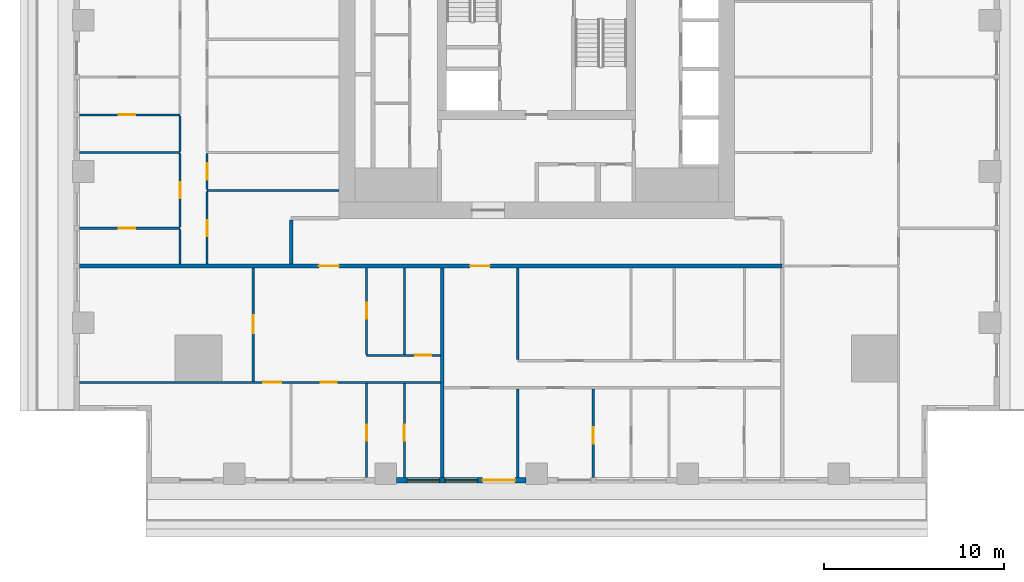
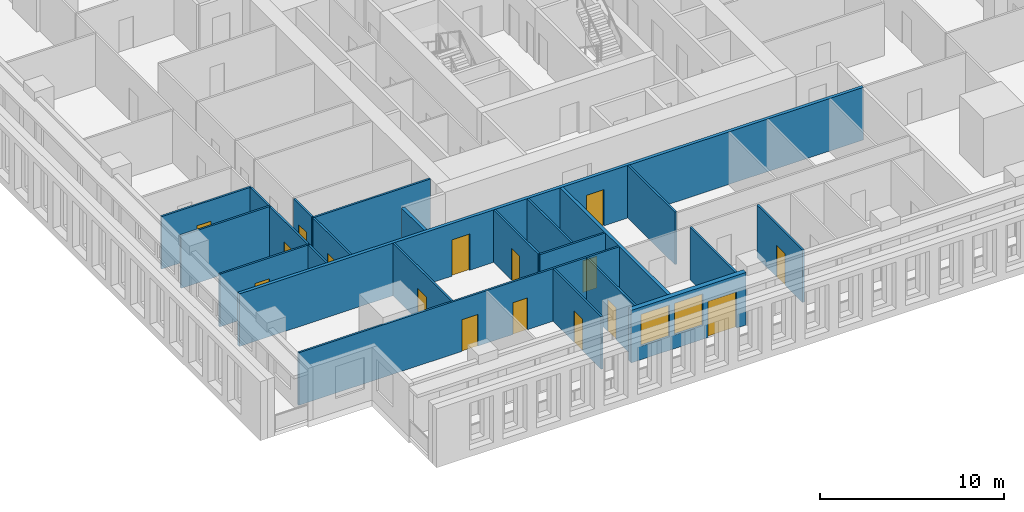
# One storey, part 2 of 15: 23 walls, 16 doors, 2 windows, 18 openings.
"""IFC4 building model written with IfcOpenShell, lengths in metres."""

from ifc_helpers import new_model, si_unit, direction, frame, frame_2d, origin, place, context, subcontext, project, spatial, rectangle, extrude, material, layer, layer_set, type_object, element, fill, save


model = new_model("IFC4")

# Units and contexts
model_context = context("Model", 3, precision=1e-05, world=origin(), true_north=direction((0.0, 1.0)))
body_context = subcontext(model_context, "Body", "Model", "MODEL_VIEW")
ifc_project = project(units=[si_unit("LENGTHUNIT", "METRE"), si_unit("AREAUNIT", "SQUARE_METRE"), si_unit("VOLUMEUNIT", "CUBIC_METRE"), si_unit("PLANEANGLEUNIT", "RADIAN"), si_unit("MASSUNIT", "GRAM", prefix="KILO")], contexts=[model_context])

# Site, building, storey
site_placement = place(None, origin())
site = spatial("IfcSite", under=ifc_project, at=site_placement, CompositionType="ELEMENT")
building_placement = place(site_placement, origin())
building = spatial("IfcBuilding", under=site, at=building_placement, Name="Khepri Terraces", CompositionType="ELEMENT")
storey_placement = place(building_placement, frame((0.0, 0.0, 161.10009765625)))
storey = spatial("IfcBuildingStorey", under=building, at=storey_placement, Name="L38", CompositionType="ELEMENT", Elevation=161.10009765625)

# Wall
ifc_material_1 = material(Name="Fire-rated gypsum plasterboard partition, mineral wool")
ifc_layer_1 = layer(ifc_material_1, 0.199951171875, Name="Fire-rated gypsum plasterboard partition, mineral wool")
ifc_layer_set_1 = layer_set([ifc_layer_1], Name="Fire-rated gypsum plasterboard partition, mineral wool")
wall_type_1 = type_object("IfcWallType", Name="WL-CORR-200", PredefinedType="PARTITIONING", material=ifc_layer_set_1)
wall_1_placement = place(storey_placement, frame((-5.25, -25.419921875, 0.0), z_axis=(0.0, 0.0, 1.0), x_axis=(0.0, 1.0, 0.0)))
element("IfcWall", 1, at=wall_1_placement, inside=storey, type_object=wall_type_1, Name="Partition P-004 L38", PredefinedType="PARTITIONING", context=body_context, shape_type="SweptSolid", body=[
    extrude(rectangle(XDim=11.669921875, YDim=0.199951171875, at=frame_2d((5.8349609375, 0.0))), origin(), (0.0, 0.0, 1.0), 3.47998046875),
])

# Wall, openings, doors
wall_2_placement = place(storey_placement, frame((-25.419921875, -13.64990234375, 0.0), z_axis=(0.0, 0.0, 1.0), x_axis=(1.0, 0.0, 0.0)))
wall_2 = element("IfcWall", 2, at=wall_2_placement, inside=storey, type_object=wall_type_1, Name="Partition P-023 L38", PredefinedType="PARTITIONING", context=body_context, shape_type="SweptSolid", body=[
    extrude(rectangle(XDim=39.06982421875, YDim=0.199951171875, at=frame_2d((19.534912109375, 0.0))), origin(), (0.0, 0.0, 1.0), 3.47998046875),
])
opening_1_placement = place(wall_2_placement, frame((13.320068359375, 0.0, 0.0)))
opening_1 = element("IfcOpeningElement", 3, at=opening_1_placement, cuts=wall_2, Name="Opening D1", PredefinedType="OPENING", context=body_context, shape_type="SweptSolid", body=[
    extrude(rectangle(XDim=1.10009765625, YDim=2.39990234375, at=frame_2d((0.550048828125, 1.199951171875))), frame((0.0, 0.10986328125, 0.0), z_axis=(0.0, -1.0, 0.0), x_axis=(1.0, 0.0, 0.0)), (0.0, 0.0, 1.0), 0.219970703125),
])
opening_2_placement = place(wall_2_placement, frame((21.719970703125, 0.0, 0.0)))
opening_2 = element("IfcOpeningElement", 4, at=opening_2_placement, cuts=wall_2, Name="Opening D1", PredefinedType="OPENING", context=body_context, shape_type="SweptSolid", body=[
    extrude(rectangle(XDim=1.10009765625, YDim=2.39990234375, at=frame_2d((0.550048828125, 1.199951171875))), frame((0.0, 0.10986328125, 0.0), z_axis=(0.0, -1.0, 0.0), x_axis=(1.0, 0.0, 0.0)), (0.0, 0.0, 1.0), 0.219970703125),
])
ifc_material_2 = material(Name="Solid-core timber door leaf, flat entrance door", Category="wood")
door_type_1 = type_object("IfcDoorType", Name="DR-ENT-1100", OperationType="NOTDEFINED", PredefinedType="DOOR", material=ifc_material_2)
door_1_placement = place(opening_1_placement, frame((1.10009765625, 0.0, 0.0), z_axis=(0.0, 0.0, 1.0), x_axis=(-1.0, 0.0, 0.0)))
door_1 = element("IfcDoor", 5, at=door_1_placement, inside=storey, type_object=door_type_1, Name="Flat A1 entrance door", OperationType="SINGLE_SWING_RIGHT", OverallHeight=2.39990234375, OverallWidth=1.10009765625, PredefinedType="DOOR", context=body_context, shape_type="SweptSolid", body=[
    extrude(rectangle(XDim=1.10009765625, YDim=2.39990234375, at=frame_2d((0.550048828125, 1.199951171875))), frame((0.0, 0.02490234375, 0.0), z_axis=(0.0, -1.0, 0.0), x_axis=(1.0, 0.0, 0.0)), (0.0, 0.0, 1.0), 0.050048828125),
])
fill(opening_1, door_1)
door_2_placement = place(opening_2_placement, frame((1.10009765625, 0.0, 0.0), z_axis=(0.0, 0.0, 1.0), x_axis=(-1.0, 0.0, 0.0)))
door_2 = element("IfcDoor", 6, at=door_2_placement, inside=storey, type_object=door_type_1, Name="Flat A2 entrance door", OperationType="SINGLE_SWING_LEFT", OverallHeight=2.39990234375, OverallWidth=1.10009765625, PredefinedType="DOOR", context=body_context, shape_type="SweptSolid", body=[
    extrude(rectangle(XDim=1.10009765625, YDim=2.39990234375, at=frame_2d((0.550048828125, 1.199951171875))), frame((0.0, 0.02490234375, 0.0), z_axis=(0.0, -1.0, 0.0), x_axis=(1.0, 0.0, 0.0)), (0.0, 0.0, 1.0), 0.050048828125),
])
fill(opening_2, door_2)

# Wall
wall_3_placement = place(storey_placement, frame((-13.64990234375, -13.550048828125, 0.0), z_axis=(0.0, 0.0, 1.0), x_axis=(0.0, 1.0, 0.0)))
element("IfcWall", 7, at=wall_3_placement, inside=storey, type_object=wall_type_1, Name="Partition P-028 L38", PredefinedType="PARTITIONING", context=body_context, shape_type="SweptSolid", body=[
    extrude(rectangle(XDim=2.449951171875, YDim=0.199951171875, at=frame_2d((1.22509765625, 0.0))), origin(), (0.0, 0.0, 1.0), 3.47998046875),
])

# Wall, openings, door, windows
ifc_material_3 = material(Name="Precast concrete C50/60 warm stone", Category="masonry")
ifc_layer_2 = layer(ifc_material_3, 0.300048828125, Name="Precast concrete C50/60 warm stone", Category="masonry")
ifc_layer_set_2 = layer_set([ifc_layer_2], Name="Precast concrete C50/60 warm stone")
wall_type_2 = type_object("IfcWallType", Name="WL-EXT-PRECAST-300", PredefinedType="STANDARD", material=ifc_layer_set_2)
wall_4_placement = place(storey_placement, frame((-7.800048828125, -25.570068359375, 0.0), z_axis=(0.0, 0.0, 1.0), x_axis=(1.0, 0.0, 0.0)))
wall_4 = element("IfcWall", 8, at=wall_4_placement, inside=storey, type_object=wall_type_2, Name="External wall L38 S", PredefinedType="STANDARD", context=body_context, shape_type="SweptSolid", body=[
    extrude(rectangle(XDim=7.199951171875, YDim=0.300048828125, at=frame_2d((3.60009765625, 0.0))), origin(), (0.0, 0.0, 1.0), 3.47998046875),
])
opening_3_placement = place(wall_4_placement, frame((0.60009765625, 0.0, 0.89990234375)))
opening_3 = element("IfcOpeningElement", 9, at=opening_3_placement, cuts=wall_4, Name="Opening W1", PredefinedType="OPENING", context=body_context, shape_type="SweptSolid", body=[
    extrude(rectangle(XDim=1.800048828125, YDim=2.10009765625, at=frame_2d((0.89990234375, 1.050048828125))), frame((0.0, 0.16015625, 0.0), z_axis=(0.0, -1.0, 0.0), x_axis=(1.0, 0.0, 0.0)), (0.0, 0.0, 1.0), 0.320068359375),
])
opening_4_placement = place(wall_4_placement, frame((2.699951171875, 0.0, 0.89990234375)))
opening_4 = element("IfcOpeningElement", 10, at=opening_4_placement, cuts=wall_4, Name="Opening W1", PredefinedType="OPENING", context=body_context, shape_type="SweptSolid", body=[
    extrude(rectangle(XDim=1.800048828125, YDim=2.10009765625, at=frame_2d((0.89990234375, 1.050048828125))), frame((0.0, 0.16015625, 0.0), z_axis=(0.0, -1.0, 0.0), x_axis=(1.0, 0.0, 0.0)), (0.0, 0.0, 1.0), 0.320068359375),
])
opening_5_placement = place(wall_4_placement, frame((4.800048828125, 0.0, 0.0)))
opening_5 = element("IfcOpeningElement", 11, at=opening_5_placement, cuts=wall_4, Name="Opening ED-L38-21", PredefinedType="OPENING", context=body_context, shape_type="SweptSolid", body=[
    extrude(rectangle(XDim=1.800048828125, YDim=2.39990234375, at=frame_2d((0.89990234375, 1.199951171875))), frame((0.0, 0.16015625, 0.0), z_axis=(0.0, -1.0, 0.0), x_axis=(1.0, 0.0, 0.0)), (0.0, 0.0, 1.0), 0.320068359375),
])
ifc_material_4 = material(Name="Anodised aluminium bronze glazed door", Category="aluminium")
door_type_2 = type_object("IfcDoorType", Name="DR-BAL-SLIDE-1800x2400", OperationType="NOTDEFINED", PredefinedType="DOOR", material=ifc_material_4)
door_3_placement = place(opening_5_placement, origin())
door_3 = element("IfcDoor", 12, at=door_3_placement, inside=storey, type_object=door_type_2, Name="Balcony door L38 S", OperationType="SLIDING_TO_RIGHT", OverallHeight=2.39990234375, OverallWidth=1.800048828125, PredefinedType="DOOR", context=body_context, shape_type="SweptSolid", body=[
    extrude(rectangle(XDim=1.800048828125, YDim=2.39990234375, at=frame_2d((0.89990234375, 1.199951171875))), frame((0.0, 0.02490234375, 0.0), z_axis=(0.0, -1.0, 0.0), x_axis=(1.0, 0.0, 0.0)), (0.0, 0.0, 1.0), 0.050048828125),
])
fill(opening_5, door_3)
ifc_material_5 = material(Name="Clear glass", Category="glass")
window_type = type_object("IfcWindowType", Name="WIN-RES-1800x2100", PartitioningType="SINGLE_PANEL", PredefinedType="WINDOW", material=ifc_material_5)
window_1_placement = place(opening_3_placement, origin())
window_1 = element("IfcWindow", 13, at=window_1_placement, inside=storey, type_object=window_type, Name="Window L38 S", OverallHeight=2.10009765625, OverallWidth=1.800048828125, PartitioningType="SINGLE_PANEL", PredefinedType="WINDOW", context=body_context, shape_type="SweptSolid", body=[
    extrude(rectangle(XDim=1.800048828125, YDim=2.10009765625, at=frame_2d((0.89990234375, 1.050048828125))), frame((0.0, 0.030029296875, 0.0), z_axis=(0.0, -1.0, 0.0), x_axis=(1.0, 0.0, 0.0)), (0.0, 0.0, 1.0), 0.06005859375),
])
fill(opening_3, window_1)
window_2_placement = place(opening_4_placement, origin())
window_2 = element("IfcWindow", 14, at=window_2_placement, inside=storey, type_object=window_type, Name="Window L38 S", OverallHeight=2.10009765625, OverallWidth=1.800048828125, PartitioningType="SINGLE_PANEL", PredefinedType="WINDOW", context=body_context, shape_type="SweptSolid", body=[
    extrude(rectangle(XDim=1.800048828125, YDim=2.10009765625, at=frame_2d((0.89990234375, 1.050048828125))), frame((0.0, 0.030029296875, 0.0), z_axis=(0.0, -1.0, 0.0), x_axis=(1.0, 0.0, 0.0)), (0.0, 0.0, 1.0), 0.06005859375),
])
fill(opening_4, window_2)

# Wall, opening, door
ifc_material_6 = material(Name="Gypsum plasterboard partition")
ifc_layer_3 = layer(ifc_material_6, 0.1201171875, Name="Gypsum plasterboard partition")
ifc_layer_set_3 = layer_set([ifc_layer_3], Name="Gypsum plasterboard partition")
wall_type_3 = type_object("IfcWallType", Name="WL-PART-120", PredefinedType="PARTITIONING", material=ifc_layer_set_3)
wall_5_placement = place(storey_placement, frame((-9.449951171875, -25.419921875, 0.0), z_axis=(0.0, 0.0, 1.0), x_axis=(0.0, 1.0, 0.0)))
wall_5 = element("IfcWall", 15, at=wall_5_placement, inside=storey, type_object=wall_type_3, Name="Partition P-002 L38", PredefinedType="PARTITIONING", context=body_context, shape_type="SweptSolid", body=[
    extrude(rectangle(XDim=5.239990234375, YDim=0.1201171875, at=frame_2d((2.6201171875, 0.0))), origin(), (0.0, 0.0, 1.0), 3.47998046875),
])
opening_6_placement = place(wall_5_placement, frame((2.050048828125, 0.0, 0.0)))
opening_6 = element("IfcOpeningElement", 16, at=opening_6_placement, cuts=wall_5, Name="Opening D3", PredefinedType="OPENING", context=body_context, shape_type="SweptSolid", body=[
    extrude(rectangle(XDim=0.89990234375, YDim=2.10009765625, at=frame_2d((0.449951171875, 1.050048828125))), frame((0.0, 0.070068359375, 0.0), z_axis=(0.0, -1.0, 0.0), x_axis=(1.0, 0.0, 0.0)), (0.0, 0.0, 1.0), 0.14013671875),
])
ifc_material_7 = material(Name="Timber door leaf", Category="wood")
door_type_3 = type_object("IfcDoorType", Name="DR-INT-900", OperationType="NOTDEFINED", PredefinedType="DOOR", material=ifc_material_7)
door_4_placement = place(opening_6_placement, frame((0.89990234375, 0.0, 0.0), z_axis=(0.0, 0.0, 1.0), x_axis=(-1.0, 0.0, 0.0)))
door_4 = element("IfcDoor", 17, at=door_4_placement, inside=storey, type_object=door_type_3, Name="Door Dressing Room", OperationType="SINGLE_SWING_RIGHT", OverallHeight=2.10009765625, OverallWidth=0.89990234375, PredefinedType="DOOR", context=body_context, shape_type="SweptSolid", body=[
    extrude(rectangle(XDim=0.89990234375, YDim=2.10009765625, at=frame_2d((0.449951171875, 1.050048828125))), frame((0.0, 0.02490234375, 0.0), z_axis=(0.0, -1.0, 0.0), x_axis=(1.0, 0.0, 0.0)), (0.0, 0.0, 1.0), 0.050048828125),
])
fill(opening_6, door_4)

wall_6_placement = place(storey_placement, frame((-7.35009765625, -25.419921875, 0.0), z_axis=(0.0, 0.0, 1.0), x_axis=(0.0, 1.0, 0.0)))
wall_6 = element("IfcWall", 18, at=wall_6_placement, inside=storey, type_object=wall_type_3, Name="Partition P-003 L38", PredefinedType="PARTITIONING", context=body_context, shape_type="SweptSolid", body=[
    extrude(rectangle(XDim=5.239990234375, YDim=0.1201171875, at=frame_2d((2.6201171875, 0.0))), origin(), (0.0, 0.0, 1.0), 3.47998046875),
])
opening_7_placement = place(wall_6_placement, frame((2.050048828125, 0.0, 0.0)))
opening_7 = element("IfcOpeningElement", 19, at=opening_7_placement, cuts=wall_6, Name="Opening D4", PredefinedType="OPENING", context=body_context, shape_type="SweptSolid", body=[
    extrude(rectangle(XDim=0.89990234375, YDim=2.10009765625, at=frame_2d((0.449951171875, 1.050048828125))), frame((0.0, 0.070068359375, 0.0), z_axis=(0.0, -1.0, 0.0), x_axis=(1.0, 0.0, 0.0)), (0.0, 0.0, 1.0), 0.14013671875),
])
ifc_material_8 = material(Name="Timber door leaf, moisture resistant", Category="wood")
door_type_4 = type_object("IfcDoorType", Name="DR-WET-900", OperationType="NOTDEFINED", PredefinedType="DOOR", material=ifc_material_8)
door_5_placement = place(opening_7_placement, frame((0.89990234375, 0.0, 0.0), z_axis=(0.0, 0.0, 1.0), x_axis=(-1.0, 0.0, 0.0)))
door_5 = element("IfcDoor", 20, at=door_5_placement, inside=storey, type_object=door_type_4, Name="Door Bathroom", OperationType="SINGLE_SWING_RIGHT", OverallHeight=2.10009765625, OverallWidth=0.89990234375, PredefinedType="DOOR", context=body_context, shape_type="SweptSolid", body=[
    extrude(rectangle(XDim=0.89990234375, YDim=2.10009765625, at=frame_2d((0.449951171875, 1.050048828125))), frame((0.0, 0.02490234375, 0.0), z_axis=(0.0, -1.0, 0.0), x_axis=(1.0, 0.0, 0.0)), (0.0, 0.0, 1.0), 0.050048828125),
])
fill(opening_7, door_5)

# Wall
wall_7_placement = place(storey_placement, frame((-1.050048828125, -25.419921875, 0.0), z_axis=(0.0, 0.0, 1.0), x_axis=(0.0, 1.0, 0.0)))
element("IfcWall", 21, at=wall_7_placement, inside=storey, type_object=wall_type_3, Name="Partition P-005 L38", PredefinedType="PARTITIONING", context=body_context, shape_type="SweptSolid", body=[
    extrude(rectangle(XDim=4.93994140625, YDim=0.1201171875, at=frame_2d((2.469970703125, 0.0))), origin(), (0.0, 0.0, 1.0), 3.47998046875),
])

# Wall, opening, door
wall_8_placement = place(storey_placement, frame((3.14990234375, -25.419921875, 0.0), z_axis=(0.0, 0.0, 1.0), x_axis=(0.0, 1.0, 0.0)))
wall_8 = element("IfcWall", 22, at=wall_8_placement, inside=storey, type_object=wall_type_3, Name="Partition P-006 L38", PredefinedType="PARTITIONING", context=body_context, shape_type="SweptSolid", body=[
    extrude(rectangle(XDim=4.93994140625, YDim=0.1201171875, at=frame_2d((2.469970703125, 0.0))), origin(), (0.0, 0.0, 1.0), 3.47998046875),
])
opening_8_placement = place(wall_8_placement, frame((1.89990234375, 0.0, 0.0)))
opening_8 = element("IfcOpeningElement", 23, at=opening_8_placement, cuts=wall_8, Name="Opening D3", PredefinedType="OPENING", context=body_context, shape_type="SweptSolid", body=[
    extrude(rectangle(XDim=0.89990234375, YDim=2.10009765625, at=frame_2d((0.449951171875, 1.050048828125))), frame((0.0, 0.070068359375, 0.0), z_axis=(0.0, -1.0, 0.0), x_axis=(1.0, 0.0, 0.0)), (0.0, 0.0, 1.0), 0.14013671875),
])
door_6_placement = place(opening_8_placement, frame((0.89990234375, 0.0, 0.0), z_axis=(0.0, 0.0, 1.0), x_axis=(-1.0, 0.0, 0.0)))
door_6 = element("IfcDoor", 24, at=door_6_placement, inside=storey, type_object=door_type_3, Name="Door Dressing Room", OperationType="SINGLE_SWING_RIGHT", OverallHeight=2.10009765625, OverallWidth=0.89990234375, PredefinedType="DOOR", context=body_context, shape_type="SweptSolid", body=[
    extrude(rectangle(XDim=0.89990234375, YDim=2.10009765625, at=frame_2d((0.449951171875, 1.050048828125))), frame((0.0, 0.02490234375, 0.0), z_axis=(0.0, -1.0, 0.0), x_axis=(1.0, 0.0, 0.0)), (0.0, 0.0, 1.0), 0.050048828125),
])
fill(opening_8, door_6)

# Wall, openings, doors
wall_9_placement = place(storey_placement, frame((-25.419921875, -20.1201171875, 0.0), z_axis=(0.0, 0.0, 1.0), x_axis=(1.0, 0.0, 0.0)))
wall_9 = element("IfcWall", 25, at=wall_9_placement, inside=storey, type_object=wall_type_3, Name="Partition P-013 L38", PredefinedType="PARTITIONING", context=body_context, shape_type="SweptSolid", body=[
    extrude(rectangle(XDim=20.06982421875, YDim=0.1201171875, at=frame_2d((10.034912109375, 0.0))), origin(), (0.0, 0.0, 1.0), 3.47998046875),
])
opening_9_placement = place(wall_9_placement, frame((10.219970703125, 0.0, 0.0)))
opening_9 = element("IfcOpeningElement", 26, at=opening_9_placement, cuts=wall_9, Name="Opening D2", PredefinedType="OPENING", context=body_context, shape_type="SweptSolid", body=[
    extrude(rectangle(XDim=1.0, YDim=2.10009765625, at=frame_2d((0.5, 1.050048828125))), frame((0.0, 0.070068359375, 0.0), z_axis=(0.0, -1.0, 0.0), x_axis=(1.0, 0.0, 0.0)), (0.0, 0.0, 1.0), 0.14013671875),
])
opening_10_placement = place(wall_9_placement, frame((13.419921875, 0.0, 0.0)))
opening_10 = element("IfcOpeningElement", 27, at=opening_10_placement, cuts=wall_9, Name="Opening D3", PredefinedType="OPENING", context=body_context, shape_type="SweptSolid", body=[
    extrude(rectangle(XDim=0.89990234375, YDim=2.10009765625, at=frame_2d((0.449951171875, 1.050048828125))), frame((0.0, 0.070068359375, 0.0), z_axis=(0.0, -1.0, 0.0), x_axis=(1.0, 0.0, 0.0)), (0.0, 0.0, 1.0), 0.14013671875),
])
ifc_material_9 = material(Name="Timber door leaf, living room door", Category="wood")
door_type_5 = type_object("IfcDoorType", Name="DR-INT-1000", OperationType="NOTDEFINED", PredefinedType="DOOR", material=ifc_material_9)
door_7_placement = place(opening_9_placement, frame((1.0, 0.0, 0.0), z_axis=(0.0, 0.0, 1.0), x_axis=(-1.0, 0.0, 0.0)))
door_7 = element("IfcDoor", 28, at=door_7_placement, inside=storey, type_object=door_type_5, Name="Door Living Room", OperationType="SINGLE_SWING_LEFT", OverallHeight=2.10009765625, OverallWidth=1.0, PredefinedType="DOOR", context=body_context, shape_type="SweptSolid", body=[
    extrude(rectangle(XDim=1.0, YDim=2.10009765625, at=frame_2d((0.5, 1.050048828125))), frame((0.0, 0.02490234375, 0.0), z_axis=(0.0, -1.0, 0.0), x_axis=(1.0, 0.0, 0.0)), (0.0, 0.0, 1.0), 0.050048828125),
])
fill(opening_9, door_7)
door_8_placement = place(opening_10_placement, frame((0.89990234375, 0.0, 0.0), z_axis=(0.0, 0.0, 1.0), x_axis=(-1.0, 0.0, 0.0)))
door_8 = element("IfcDoor", 29, at=door_8_placement, inside=storey, type_object=door_type_3, Name="Door Master Bedroom", OperationType="SINGLE_SWING_LEFT", OverallHeight=2.10009765625, OverallWidth=0.89990234375, PredefinedType="DOOR", context=body_context, shape_type="SweptSolid", body=[
    extrude(rectangle(XDim=0.89990234375, YDim=2.10009765625, at=frame_2d((0.449951171875, 1.050048828125))), frame((0.0, 0.02490234375, 0.0), z_axis=(0.0, -1.0, 0.0), x_axis=(1.0, 0.0, 0.0)), (0.0, 0.0, 1.0), 0.050048828125),
])
fill(opening_10, door_8)

# Wall, opening, door
wall_10_placement = place(storey_placement, frame((-15.75, -20.06005859375, 0.0), z_axis=(0.0, 0.0, 1.0), x_axis=(0.0, 1.0, 0.0)))
wall_10 = element("IfcWall", 30, at=wall_10_placement, inside=storey, type_object=wall_type_3, Name="Partition P-014 L38", PredefinedType="PARTITIONING", context=body_context, shape_type="SweptSolid", body=[
    extrude(rectangle(XDim=6.31005859375, YDim=0.1201171875, at=frame_2d((3.155029296875, 0.0))), origin(), (0.0, 0.0, 1.0), 3.47998046875),
])
opening_11_placement = place(wall_10_placement, frame((2.675048828125, 0.0, 0.0)))
opening_11 = element("IfcOpeningElement", 31, at=opening_11_placement, cuts=wall_10, Name="Opening D2", PredefinedType="OPENING", context=body_context, shape_type="SweptSolid", body=[
    extrude(rectangle(XDim=1.0, YDim=2.10009765625, at=frame_2d((0.5, 1.050048828125))), frame((0.0, 0.070068359375, 0.0), z_axis=(0.0, -1.0, 0.0), x_axis=(1.0, 0.0, 0.0)), (0.0, 0.0, 1.0), 0.14013671875),
])
door_9_placement = place(opening_11_placement, origin())
door_9 = element("IfcDoor", 32, at=door_9_placement, inside=storey, type_object=door_type_5, Name="Door Family Room", OperationType="SINGLE_SWING_RIGHT", OverallHeight=2.10009765625, OverallWidth=1.0, PredefinedType="DOOR", context=body_context, shape_type="SweptSolid", body=[
    extrude(rectangle(XDim=1.0, YDim=2.10009765625, at=frame_2d((0.5, 1.050048828125))), frame((0.0, 0.02490234375, 0.0), z_axis=(0.0, -1.0, 0.0), x_axis=(1.0, 0.0, 0.0)), (0.0, 0.0, 1.0), 0.050048828125),
])
fill(opening_11, door_9)

# Wall
wall_11_placement = place(storey_placement, frame((-1.050048828125, -18.860107421875, 0.0), z_axis=(0.0, 0.0, 1.0), x_axis=(0.0, 1.0, 0.0)))
element("IfcWall", 33, at=wall_11_placement, inside=storey, type_object=wall_type_3, Name="Partition P-016 L38", PredefinedType="PARTITIONING", context=body_context, shape_type="SweptSolid", body=[
    extrude(rectangle(XDim=5.110107421875, YDim=0.1201171875, at=frame_2d((2.55517578125, 0.0))), origin(), (0.0, 0.0, 1.0), 3.47998046875),
])

# Wall, opening, door
wall_12_placement = place(storey_placement, frame((-9.449951171875, -18.6201171875, 0.0), z_axis=(0.0, 0.0, 1.0), x_axis=(1.0, 0.0, 0.0)))
wall_12 = element("IfcWall", 34, at=wall_12_placement, inside=storey, type_object=wall_type_3, Name="Partition P-020 L38", PredefinedType="PARTITIONING", context=body_context, shape_type="SweptSolid", body=[
    extrude(rectangle(XDim=4.099853515625, YDim=0.1201171875, at=frame_2d((2.0498046875, 0.0))), origin(), (0.0, 0.0, 1.0), 3.47998046875),
])
opening_12_placement = place(wall_12_placement, frame((2.699951171875, 0.0, 0.0)))
opening_12 = element("IfcOpeningElement", 35, at=opening_12_placement, cuts=wall_12, Name="Opening D3", PredefinedType="OPENING", context=body_context, shape_type="SweptSolid", body=[
    extrude(rectangle(XDim=0.89990234375, YDim=2.10009765625, at=frame_2d((0.449951171875, 1.050048828125))), frame((0.0, 0.070068359375, 0.0), z_axis=(0.0, -1.0, 0.0), x_axis=(1.0, 0.0, 0.0)), (0.0, 0.0, 1.0), 0.14013671875),
])
door_10_placement = place(opening_12_placement, origin())
door_10 = element("IfcDoor", 36, at=door_10_placement, inside=storey, type_object=door_type_3, Name="Door Kitchen", OperationType="SINGLE_SWING_RIGHT", OverallHeight=2.10009765625, OverallWidth=0.89990234375, PredefinedType="DOOR", context=body_context, shape_type="SweptSolid", body=[
    extrude(rectangle(XDim=0.89990234375, YDim=2.10009765625, at=frame_2d((0.449951171875, 1.050048828125))), frame((0.0, 0.02490234375, 0.0), z_axis=(0.0, -1.0, 0.0), x_axis=(1.0, 0.0, 0.0)), (0.0, 0.0, 1.0), 0.050048828125),
])
fill(opening_12, door_10)

wall_13_placement = place(storey_placement, frame((-9.449951171875, -18.56005859375, 0.0), z_axis=(0.0, 0.0, 1.0), x_axis=(0.0, 1.0, 0.0)))
wall_13 = element("IfcWall", 37, at=wall_13_placement, inside=storey, type_object=wall_type_3, Name="Partition P-021 L38", PredefinedType="PARTITIONING", context=body_context, shape_type="SweptSolid", body=[
    extrude(rectangle(XDim=4.81005859375, YDim=0.1201171875, at=frame_2d((2.405029296875, 0.0))), origin(), (0.0, 0.0, 1.0), 3.47998046875),
])
opening_13_placement = place(wall_13_placement, frame((1.97509765625, 0.0, 0.0)))
opening_13 = element("IfcOpeningElement", 38, at=opening_13_placement, cuts=wall_13, Name="Opening D4", PredefinedType="OPENING", context=body_context, shape_type="SweptSolid", body=[
    extrude(rectangle(XDim=0.89990234375, YDim=2.10009765625, at=frame_2d((0.449951171875, 1.050048828125))), frame((0.0, 0.070068359375, 0.0), z_axis=(0.0, -1.0, 0.0), x_axis=(1.0, 0.0, 0.0)), (0.0, 0.0, 1.0), 0.14013671875),
])
door_11_placement = place(opening_13_placement, frame((0.89990234375, 0.0, 0.0), z_axis=(0.0, 0.0, 1.0), x_axis=(-1.0, 0.0, 0.0)))
door_11 = element("IfcDoor", 39, at=door_11_placement, inside=storey, type_object=door_type_4, Name="Door Guest Bathroom", OperationType="SINGLE_SWING_LEFT", OverallHeight=2.10009765625, OverallWidth=0.89990234375, PredefinedType="DOOR", context=body_context, shape_type="SweptSolid", body=[
    extrude(rectangle(XDim=0.89990234375, YDim=2.10009765625, at=frame_2d((0.449951171875, 1.050048828125))), frame((0.0, 0.02490234375, 0.0), z_axis=(0.0, -1.0, 0.0), x_axis=(1.0, 0.0, 0.0)), (0.0, 0.0, 1.0), 0.050048828125),
])
fill(opening_13, door_11)

# Walls
wall_14_placement = place(storey_placement, frame((-7.35009765625, -18.56005859375, 0.0), z_axis=(0.0, 0.0, 1.0), x_axis=(0.0, 1.0, 0.0)))
element("IfcWall", 40, at=wall_14_placement, inside=storey, type_object=wall_type_3, Name="Partition P-022 L38", PredefinedType="PARTITIONING", context=body_context, shape_type="SweptSolid", body=[
    extrude(rectangle(XDim=4.81005859375, YDim=0.1201171875, at=frame_2d((2.405029296875, 0.0))), origin(), (0.0, 0.0, 1.0), 3.47998046875),
])
wall_15_placement = place(storey_placement, frame((-19.820068359375, -13.550048828125, 0.0), z_axis=(0.0, 0.0, 1.0), x_axis=(0.0, 1.0, 0.0)))
element("IfcWall", 41, at=wall_15_placement, inside=storey, type_object=wall_type_3, Name="Partition P-026 L38", PredefinedType="PARTITIONING", context=body_context, shape_type="SweptSolid", body=[
    extrude(rectangle(XDim=1.93994140625, YDim=0.1201171875, at=frame_2d((0.969970703125, 0.0))), origin(), (0.0, 0.0, 1.0), 3.47998046875),
])

# Wall, opening, door
wall_16_placement = place(storey_placement, frame((-18.320068359375, -13.550048828125, 0.0), z_axis=(0.0, 0.0, 1.0), x_axis=(0.0, 1.0, 0.0)))
wall_16 = element("IfcWall", 42, at=wall_16_placement, inside=storey, type_object=wall_type_3, Name="Partition P-027 L38", PredefinedType="PARTITIONING", context=body_context, shape_type="SweptSolid", body=[
    extrude(rectangle(XDim=4.0400390625, YDim=0.1201171875, at=frame_2d((2.02001953125, 0.0))), origin(), (0.0, 0.0, 1.0), 3.47998046875),
])
opening_14_placement = place(wall_16_placement, frame((1.550048828125, 0.0, 0.0)))
opening_14 = element("IfcOpeningElement", 43, at=opening_14_placement, cuts=wall_16, Name="Opening D3", PredefinedType="OPENING", context=body_context, shape_type="SweptSolid", body=[
    extrude(rectangle(XDim=0.89990234375, YDim=2.10009765625, at=frame_2d((0.449951171875, 1.050048828125))), frame((0.0, 0.070068359375, 0.0), z_axis=(0.0, -1.0, 0.0), x_axis=(1.0, 0.0, 0.0)), (0.0, 0.0, 1.0), 0.14013671875),
])
door_12_placement = place(opening_14_placement, frame((0.89990234375, 0.0, 0.0), z_axis=(0.0, 0.0, 1.0), x_axis=(-1.0, 0.0, 0.0)))
door_12 = element("IfcDoor", 44, at=door_12_placement, inside=storey, type_object=door_type_3, Name="Door Utility Room", OperationType="SINGLE_SWING_RIGHT", OverallHeight=2.10009765625, OverallWidth=0.89990234375, PredefinedType="DOOR", context=body_context, shape_type="SweptSolid", body=[
    extrude(rectangle(XDim=0.89990234375, YDim=2.10009765625, at=frame_2d((0.449951171875, 1.050048828125))), frame((0.0, 0.02490234375, 0.0), z_axis=(0.0, -1.0, 0.0), x_axis=(1.0, 0.0, 0.0)), (0.0, 0.0, 1.0), 0.050048828125),
])
fill(opening_14, door_12)

wall_17_placement = place(storey_placement, frame((-25.419921875, -11.550048828125, 0.0), z_axis=(0.0, 0.0, 1.0), x_axis=(1.0, 0.0, 0.0)))
wall_17 = element("IfcWall", 45, at=wall_17_placement, inside=storey, type_object=wall_type_3, Name="Partition P-030 L38", PredefinedType="PARTITIONING", context=body_context, shape_type="SweptSolid", body=[
    extrude(rectangle(XDim=5.599853515625, YDim=0.1201171875, at=frame_2d((2.7998046875, 0.0))), origin(), (0.0, 0.0, 1.0), 3.47998046875),
])
opening_15_placement = place(wall_17_placement, frame((2.199951171875, 0.0, 0.0)))
opening_15 = element("IfcOpeningElement", 46, at=opening_15_placement, cuts=wall_17, Name="Opening D4", PredefinedType="OPENING", context=body_context, shape_type="SweptSolid", body=[
    extrude(rectangle(XDim=0.89990234375, YDim=2.10009765625, at=frame_2d((0.449951171875, 1.050048828125))), frame((0.0, 0.070068359375, 0.0), z_axis=(0.0, -1.0, 0.0), x_axis=(1.0, 0.0, 0.0)), (0.0, 0.0, 1.0), 0.14013671875),
])
door_13_placement = place(opening_15_placement, frame((0.89990234375, 0.0, 0.0), z_axis=(0.0, 0.0, 1.0), x_axis=(-1.0, 0.0, 0.0)))
door_13 = element("IfcDoor", 47, at=door_13_placement, inside=storey, type_object=door_type_4, Name="Door Bathroom", OperationType="SINGLE_SWING_RIGHT", OverallHeight=2.10009765625, OverallWidth=0.89990234375, PredefinedType="DOOR", context=body_context, shape_type="SweptSolid", body=[
    extrude(rectangle(XDim=0.89990234375, YDim=2.10009765625, at=frame_2d((0.449951171875, 1.050048828125))), frame((0.0, 0.02490234375, 0.0), z_axis=(0.0, -1.0, 0.0), x_axis=(1.0, 0.0, 0.0)), (0.0, 0.0, 1.0), 0.050048828125),
])
fill(opening_15, door_13)

wall_18_placement = place(storey_placement, frame((-19.820068359375, -11.489990234375, 0.0), z_axis=(0.0, 0.0, 1.0), x_axis=(0.0, 1.0, 0.0)))
wall_18 = element("IfcWall", 48, at=wall_18_placement, inside=storey, type_object=wall_type_3, Name="Partition P-032 L38", PredefinedType="PARTITIONING", context=body_context, shape_type="SweptSolid", body=[
    extrude(rectangle(XDim=4.080078125, YDim=0.1201171875, at=frame_2d((2.0400390625, 0.0))), origin(), (0.0, 0.0, 1.0), 3.47998046875),
])
opening_16_placement = place(wall_18_placement, frame((1.590087890625, 0.0, 0.0)))
opening_16 = element("IfcOpeningElement", 49, at=opening_16_placement, cuts=wall_18, Name="Opening D3", PredefinedType="OPENING", context=body_context, shape_type="SweptSolid", body=[
    extrude(rectangle(XDim=0.89990234375, YDim=2.10009765625, at=frame_2d((0.449951171875, 1.050048828125))), frame((0.0, 0.070068359375, 0.0), z_axis=(0.0, -1.0, 0.0), x_axis=(1.0, 0.0, 0.0)), (0.0, 0.0, 1.0), 0.14013671875),
])
door_14_placement = place(opening_16_placement, origin())
door_14 = element("IfcDoor", 50, at=door_14_placement, inside=storey, type_object=door_type_3, Name="Door Bedroom", OperationType="SINGLE_SWING_RIGHT", OverallHeight=2.10009765625, OverallWidth=0.89990234375, PredefinedType="DOOR", context=body_context, shape_type="SweptSolid", body=[
    extrude(rectangle(XDim=0.89990234375, YDim=2.10009765625, at=frame_2d((0.449951171875, 1.050048828125))), frame((0.0, 0.02490234375, 0.0), z_axis=(0.0, -1.0, 0.0), x_axis=(1.0, 0.0, 0.0)), (0.0, 0.0, 1.0), 0.050048828125),
])
fill(opening_16, door_14)

# Wall
wall_19_placement = place(storey_placement, frame((-18.320068359375, -9.449951171875, 0.0), z_axis=(0.0, 0.0, 1.0), x_axis=(1.0, 0.0, 0.0)))
element("IfcWall", 51, at=wall_19_placement, inside=storey, type_object=wall_type_3, Name="Partition P-036 L38", PredefinedType="PARTITIONING", context=body_context, shape_type="SweptSolid", body=[
    extrude(rectangle(XDim=7.320068359375, YDim=0.1201171875, at=frame_2d((3.66015625, 0.0))), origin(), (0.0, 0.0, 1.0), 3.47998046875),
])

# Wall, opening, door
wall_20_placement = place(storey_placement, frame((-18.320068359375, -9.389892578125, 0.0), z_axis=(0.0, 0.0, 1.0), x_axis=(0.0, 1.0, 0.0)))
wall_20 = element("IfcWall", 52, at=wall_20_placement, inside=storey, type_object=wall_type_3, Name="Partition P-037 L38", PredefinedType="PARTITIONING", context=body_context, shape_type="SweptSolid", body=[
    extrude(rectangle(XDim=1.97998046875, YDim=0.1201171875, at=frame_2d((0.989990234375, 0.0))), origin(), (0.0, 0.0, 1.0), 3.47998046875),
])
opening_17_placement = place(wall_20_placement, frame((0.5400390625, 0.0, 0.0)))
opening_17 = element("IfcOpeningElement", 53, at=opening_17_placement, cuts=wall_20, Name="Opening D4", PredefinedType="OPENING", context=body_context, shape_type="SweptSolid", body=[
    extrude(rectangle(XDim=0.89990234375, YDim=2.10009765625, at=frame_2d((0.449951171875, 1.050048828125))), frame((0.0, 0.070068359375, 0.0), z_axis=(0.0, -1.0, 0.0), x_axis=(1.0, 0.0, 0.0)), (0.0, 0.0, 1.0), 0.14013671875),
])
door_15_placement = place(opening_17_placement, frame((0.89990234375, 0.0, 0.0), z_axis=(0.0, 0.0, 1.0), x_axis=(-1.0, 0.0, 0.0)))
door_15 = element("IfcDoor", 54, at=door_15_placement, inside=storey, type_object=door_type_4, Name="Door Guest Bathroom", OperationType="SINGLE_SWING_LEFT", OverallHeight=2.10009765625, OverallWidth=0.89990234375, PredefinedType="DOOR", context=body_context, shape_type="SweptSolid", body=[
    extrude(rectangle(XDim=0.89990234375, YDim=2.10009765625, at=frame_2d((0.449951171875, 1.050048828125))), frame((0.0, 0.02490234375, 0.0), z_axis=(0.0, -1.0, 0.0), x_axis=(1.0, 0.0, 0.0)), (0.0, 0.0, 1.0), 0.050048828125),
])
fill(opening_17, door_15)

# Walls
wall_21_placement = place(storey_placement, frame((-25.419921875, -7.35009765625, 0.0), z_axis=(0.0, 0.0, 1.0), x_axis=(1.0, 0.0, 0.0)))
element("IfcWall", 55, at=wall_21_placement, inside=storey, type_object=wall_type_3, Name="Partition P-038 L38", PredefinedType="PARTITIONING", context=body_context, shape_type="SweptSolid", body=[
    extrude(rectangle(XDim=5.599853515625, YDim=0.1201171875, at=frame_2d((2.7998046875, 0.0))), origin(), (0.0, 0.0, 1.0), 3.47998046875),
])
wall_22_placement = place(storey_placement, frame((-19.820068359375, -7.2900390625, 0.0), z_axis=(0.0, 0.0, 1.0), x_axis=(0.0, 1.0, 0.0)))
element("IfcWall", 56, at=wall_22_placement, inside=storey, type_object=wall_type_3, Name="Partition P-041 L38", PredefinedType="PARTITIONING", context=body_context, shape_type="SweptSolid", body=[
    extrude(rectangle(XDim=1.97998046875, YDim=0.1201171875, at=frame_2d((0.989990234375, 0.0))), origin(), (0.0, 0.0, 1.0), 3.47998046875),
])

# Wall, opening, door
wall_23_placement = place(storey_placement, frame((-25.419921875, -5.25, 0.0), z_axis=(0.0, 0.0, 1.0), x_axis=(1.0, 0.0, 0.0)))
wall_23 = element("IfcWall", 57, at=wall_23_placement, inside=storey, type_object=wall_type_3, Name="Partition P-044 L38", PredefinedType="PARTITIONING", context=body_context, shape_type="SweptSolid", body=[
    extrude(rectangle(XDim=5.599853515625, YDim=0.1201171875, at=frame_2d((2.7998046875, 0.0))), origin(), (0.0, 0.0, 1.0), 3.47998046875),
])
opening_18_placement = place(wall_23_placement, frame((2.199951171875, 0.0, 0.0)))
opening_18 = element("IfcOpeningElement", 58, at=opening_18_placement, cuts=wall_23, Name="Opening D4", PredefinedType="OPENING", context=body_context, shape_type="SweptSolid", body=[
    extrude(rectangle(XDim=0.89990234375, YDim=2.10009765625, at=frame_2d((0.449951171875, 1.050048828125))), frame((0.0, 0.070068359375, 0.0), z_axis=(0.0, -1.0, 0.0), x_axis=(1.0, 0.0, 0.0)), (0.0, 0.0, 1.0), 0.14013671875),
])
door_16_placement = place(opening_18_placement, frame((0.89990234375, 0.0, 0.0), z_axis=(0.0, 0.0, 1.0), x_axis=(-1.0, 0.0, 0.0)))
door_16 = element("IfcDoor", 59, at=door_16_placement, inside=storey, type_object=door_type_4, Name="Door Bathroom", OperationType="SINGLE_SWING_RIGHT", OverallHeight=2.10009765625, OverallWidth=0.89990234375, PredefinedType="DOOR", context=body_context, shape_type="SweptSolid", body=[
    extrude(rectangle(XDim=0.89990234375, YDim=2.10009765625, at=frame_2d((0.449951171875, 1.050048828125))), frame((0.0, 0.02490234375, 0.0), z_axis=(0.0, -1.0, 0.0), x_axis=(1.0, 0.0, 0.0)), (0.0, 0.0, 1.0), 0.050048828125),
])
fill(opening_18, door_16)

save(model, "model.ifc")
